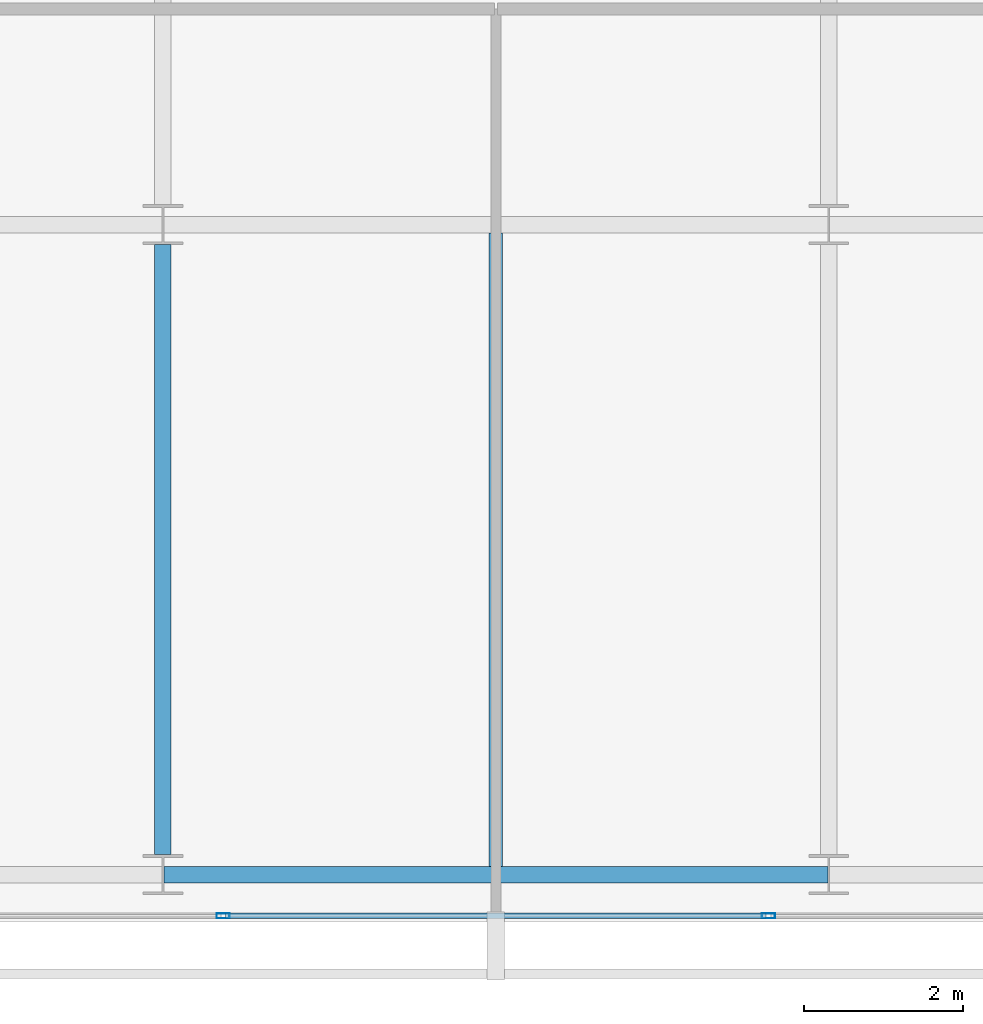
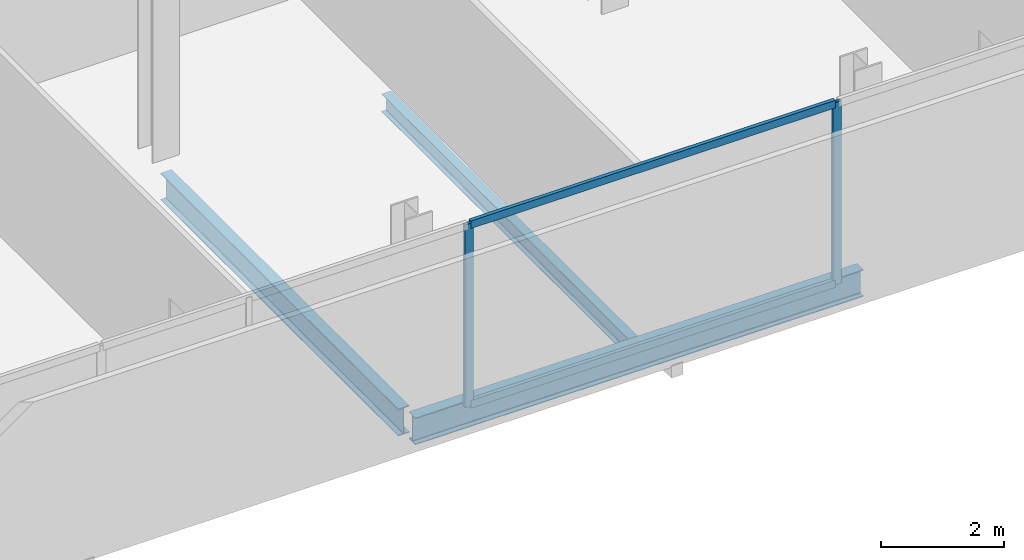
# One storey, part 6 of 25: 4 members, 3 beams, 1 element without a shape of its own.
"""IFC4 building model written with IfcOpenShell, lengths in metres."""

from ifc_helpers import new_model, si_unit, direction, frame, origin, origin_2d, place, context, subcontext, project, spatial, hollow_rectangle, i_section, extrude, material, layer, layer_set, material_profile, profile_set, type_object, element, aggregate, save


model = new_model("IFC4")

# Units and contexts
model_context = context("Model", 3, precision=1e-05, world=origin(), true_north=direction((0.0, 1.0)))
body_context = subcontext(model_context, "Body", "Model", "MODEL_VIEW")
ifc_project = project(units=[si_unit("LENGTHUNIT", "METRE"), si_unit("AREAUNIT", "SQUARE_METRE"), si_unit("VOLUMEUNIT", "CUBIC_METRE"), si_unit("PLANEANGLEUNIT", "RADIAN"), si_unit("MASSUNIT", "GRAM", prefix="KILO")], contexts=[model_context])

# Site, building, storey
site_placement = place(None, origin())
site = spatial("IfcSite", under=ifc_project, at=site_placement, CompositionType="ELEMENT")
building_placement = place(site_placement, origin())
building = spatial("IfcBuilding", under=site, at=building_placement, Name="Maruvema Waterfront Hotel and Observation Tower", CompositionType="ELEMENT")
storey_placement = place(building_placement, frame((0.0, 0.0, 274.050048828125)))
storey = spatial("IfcBuildingStorey", under=building, at=storey_placement, Name="L67", CompositionType="ELEMENT", Elevation=274.050048828125)

# Curtain wall, members
ifc_material_1 = material(Name="Anodised bronze aluminium and solar-control low-E IGU", Category="aluminium")
ifc_layer = layer(ifc_material_1, 0.159912109375, Name="Zone 3 Champagne Inner Thermal Curtain Wall System CW-04")
ifc_layer_set = layer_set([ifc_layer], Name="Anodised bronze aluminium and solar-control low-E IGU")
curtain_wall_type = type_object("IfcCurtainWallType", Name="Zone 3 Champagne Inner Thermal Curtain Wall System CW-04", PredefinedType="USERDEFINED", material=ifc_layer_set)
curtain_wall_placement = place(storey_placement, origin())
curtain_wall = element("IfcCurtainWall", 1, at=curtain_wall_placement, inside=storey, type_object=curtain_wall_type, Name="L67 Curtain Wall CW-L67-S", ObjectType="UNITISED CURTAIN WALL", PredefinedType="USERDEFINED")
ifc_material_2 = material(Name="Anodised architectural bronze aluminium", Category="aluminium")
ifc_material_profile_1 = material_profile(ifc_material_2, hollow_rectangle(XDim=0.070068359375, YDim=0.14990234375, WallThickness=0.00390625, at=origin_2d()), Name="ALU-T70x150")
ifc_profile_set_1 = profile_set([ifc_material_profile_1], Name="Anodised architectural bronze aluminium")
member_type_1 = type_object("IfcMemberType", Name="Curtain Wall Horizontal Transom ALU-T70x150", PredefinedType="USERDEFINED", material=ifc_profile_set_1)
member_1_placement = place(storey_placement, frame((34.389892578125, 9.280029296875, 0.030029296875), z_axis=(1.0, 0.0, 0.0), x_axis=(0.0, 1.0, 0.0)))
member_1 = element("IfcMember", 2, at=member_1_placement, type_object=member_type_1, Name="CW-04 transom 3.1", ObjectType="TRANSOM", PredefinedType="USERDEFINED", context=body_context, shape_type="SweptSolid", body=[
    extrude(hollow_rectangle(XDim=0.070068359375, YDim=0.14990234375, WallThickness=0.00390625, at=origin_2d()), origin(), (0.0, 0.0, 1.0), 6.820068359375),
])
member_2_placement = place(storey_placement, frame((34.389892578125, 9.280029296875, 3.579833984375), z_axis=(1.0, 0.0, 0.0), x_axis=(0.0, 1.0, 0.0)))
member_2 = element("IfcMember", 3, at=member_2_placement, type_object=member_type_1, Name="CW-04 transom 3.2", ObjectType="TRANSOM", PredefinedType="USERDEFINED", context=body_context, shape_type="SweptSolid", body=[
    extrude(hollow_rectangle(XDim=0.070068359375, YDim=0.14990234375, WallThickness=0.00390625, at=origin_2d()), origin(), (0.0, 0.0, 1.0), 6.820068359375),
])
ifc_material_3 = material(Name="Anodised architectural bronze aluminium", Category="aluminium")
ifc_material_profile_2 = material_profile(ifc_material_3, hollow_rectangle(XDim=0.06494140625, YDim=0.1650390625, WallThickness=0.00390625, at=origin_2d()), Name="ALU-M65x165")
ifc_profile_set_2 = profile_set([ifc_material_profile_2], Name="Anodised architectural bronze aluminium")
member_type_2 = type_object("IfcMemberType", Name="Curtain Wall Primary Mullion ALU-M65x165", PredefinedType="MULLION", material=ifc_profile_set_2)
member_3_placement = place(storey_placement, frame((34.360107421875, 9.280029296875, 0.0), z_axis=(0.0, 0.0, 1.0), x_axis=(0.0, 1.0, 0.0)))
member_3 = element("IfcMember", 4, at=member_3_placement, type_object=member_type_2, Name="CW-04 mullion 3", PredefinedType="MULLION", context=body_context, shape_type="SweptSolid", body=[
    extrude(hollow_rectangle(XDim=0.06494140625, YDim=0.1650390625, WallThickness=0.00390625, at=origin_2d()), origin(), (0.0, 0.0, 1.0), 3.60986328125),
])
member_4_placement = place(storey_placement, frame((41.239990234375, 9.280029296875, 0.0), z_axis=(0.0, 0.0, 1.0), x_axis=(0.0, 1.0, 0.0)))
member_4 = element("IfcMember", 5, at=member_4_placement, type_object=member_type_2, Name="CW-04 mullion 4", PredefinedType="MULLION", context=body_context, shape_type="SweptSolid", body=[
    extrude(hollow_rectangle(XDim=0.06494140625, YDim=0.1650390625, WallThickness=0.00390625, at=origin_2d()), origin(), (0.0, 0.0, 1.0), 3.60986328125),
])
aggregate(curtain_wall, [member_3, member_4, member_1, member_2])

# Beams
ifc_material_4 = material(Name="Steel ASTM A572 Grade 50", Category="steel")
ifc_material_profile_3 = material_profile(ifc_material_4, i_section(OverallWidth=0.208984375, OverallDepth=0.532958984375, WebThickness=0.01025390625, FlangeThickness=0.015625, FilletRadius=0.014892578125, at=origin_2d()), Name="W530x92.0")
ifc_profile_set_3 = profile_set([ifc_material_profile_3], Name="Steel ASTM A572 Grade 50")
beam_type_1 = type_object("IfcBeamType", Name="Primary Floor Girder W530x92.0", PredefinedType="BEAM", material=ifc_profile_set_3)
beam_1_placement = place(storey_placement, frame((33.611083984375, 9.800048828125, -0.506591796875), z_axis=(1.0, 0.0, 0.0), x_axis=(0.0, 1.0, 0.0)))
element("IfcBeam", 6, at=beam_1_placement, inside=storey, type_object=beam_type_1, Name="L67 Floor Girder EW-02", PredefinedType="BEAM", context=body_context, shape_type="SweptSolid", body=[
    extrude(i_section(OverallWidth=0.208984375, OverallDepth=0.532958984375, WebThickness=0.01025390625, FlangeThickness=0.015625, FilletRadius=0.014892578125, at=origin_2d()), origin(), (0.0, 0.0, 1.0), 8.3779296875),
])
beam_2_placement = place(storey_placement, frame((33.60009765625, 10.050048828125, -0.506591796875), z_axis=(0.0, 1.0, 0.0), x_axis=(-1.0, 0.0, 0.0)))
element("IfcBeam", 7, at=beam_2_placement, inside=storey, type_object=beam_type_1, Name="L67 Floor Girder NS-08", PredefinedType="BEAM", context=body_context, shape_type="SweptSolid", body=[
    extrude(i_section(OverallWidth=0.208984375, OverallDepth=0.532958984375, WebThickness=0.01025390625, FlangeThickness=0.015625, FilletRadius=0.014892578125, at=origin_2d()), origin(), (0.0, 0.0, 1.0), 7.699951171875),
])
ifc_material_5 = material(Name="Steel ASTM A572 Grade 50", Category="steel")
ifc_material_profile_4 = material_profile(ifc_material_5, i_section(OverallWidth=0.1708984375, OverallDepth=0.35498046875, WebThickness=0.007080078125, FlangeThickness=0.01171875, FilletRadius=0.014892578125, at=origin_2d()), Name="W360x51.0")
ifc_profile_set_4 = profile_set([ifc_material_profile_4], Name="Steel ASTM A572 Grade 50")
beam_type_2 = type_object("IfcBeamType", Name="Secondary Floor Joist W360x51.0", PredefinedType="JOIST", material=ifc_profile_set_4)
beam_3_placement = place(storey_placement, frame((37.800048828125, 9.904541015625, -0.41748046875), z_axis=(0.0, 1.0, 0.0), x_axis=(-1.0, 0.0, 0.0)))
element("IfcBeam", 8, at=beam_3_placement, inside=storey, type_object=beam_type_2, Name="L67 Secondary Floor Joist JS-05", PredefinedType="JOIST", context=body_context, shape_type="SweptSolid", body=[
    extrude(i_section(OverallWidth=0.1708984375, OverallDepth=0.35498046875, WebThickness=0.007080078125, FlangeThickness=0.01171875, FilletRadius=0.014892578125, at=origin_2d()), origin(), (0.0, 0.0, 1.0), 7.990966796875),
])

save(model, "model.ifc")
